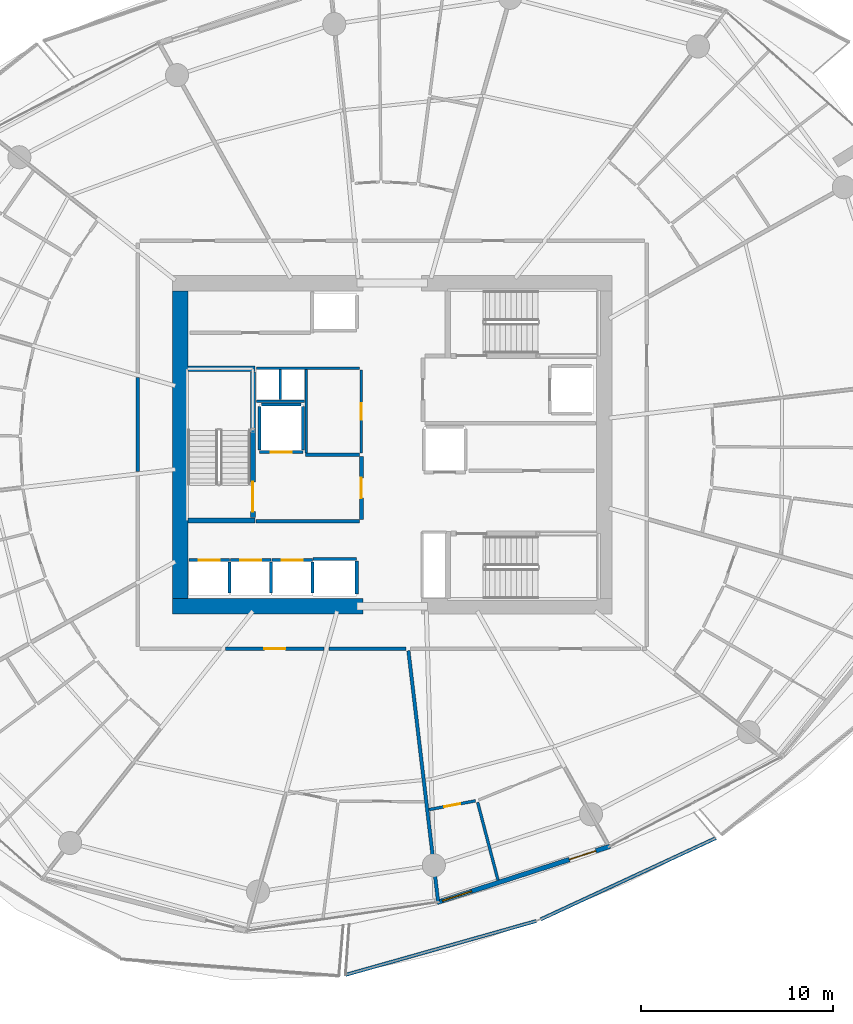
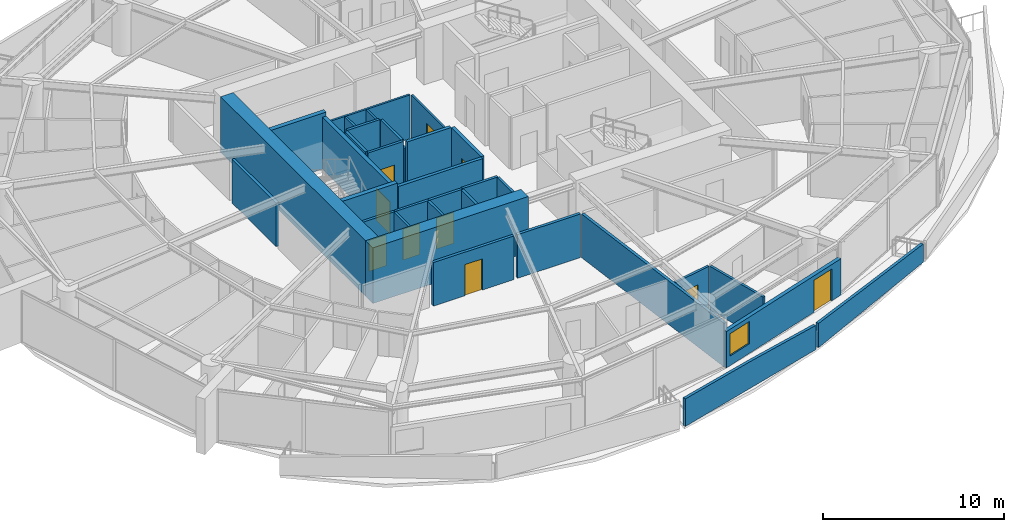
# One storey, part 12 of 23: 34 walls, 10 doors, 1 window, 11 openings.
"""IFC4 building model written with IfcOpenShell, lengths in metres."""

from ifc_helpers import new_model, si_unit, direction, frame, frame_2d, origin, place, context, subcontext, project, spatial, polyline, rectangle, outline, extrude, material, layer, layer_set, type_object, element, fill, save


model = new_model("IFC4")

# Units and contexts
model_context = context("Model", 3, precision=1e-05, world=origin(), true_north=direction((0.0, 1.0)))
body_context = subcontext(model_context, "Body", "Model", "MODEL_VIEW")
ifc_project = project(units=[si_unit("LENGTHUNIT", "METRE"), si_unit("AREAUNIT", "SQUARE_METRE"), si_unit("VOLUMEUNIT", "CUBIC_METRE"), si_unit("PLANEANGLEUNIT", "RADIAN"), si_unit("MASSUNIT", "GRAM", prefix="KILO")], contexts=[model_context])

# Site, building, storey
site_placement = place(None, origin())
site = spatial("IfcSite", under=ifc_project, at=site_placement, CompositionType="ELEMENT")
building_placement = place(site_placement, origin())
building = spatial("IfcBuilding", under=site, at=building_placement, Name="Kazma Halo Residences", CompositionType="ELEMENT")
storey_placement = place(building_placement, frame((0.0, 0.0, 78.89990234375)))
storey = spatial("IfcBuildingStorey", under=building, at=storey_placement, Name="L19", CompositionType="ELEMENT", Elevation=78.89990234375)

# Walls
ifc_material_1 = material(Name="White Concrete C50/60 Balustrade", Category="concrete")
ifc_layer_1 = layer(ifc_material_1, 0.179931640625)
ifc_layer_set_1 = layer_set([ifc_layer_1], Name="White Concrete C50/60 Balustrade")
wall_type_1 = type_object("IfcWallType", Name="WL-BAL-WAVE-180", PredefinedType="PARAPET", material=ifc_layer_set_1)
wall_1_placement = place(storey_placement, frame((46.0, 14.43603515625, 0.0), z_axis=(0.0, 0.0, 1.0), x_axis=(0.962322473133, 0.271910753195, 0.0)))
element("IfcWall", 1, at=wall_1_placement, inside=storey, type_object=wall_type_1, Name="L19 white wave balustrade wall SSE.1", PredefinedType="PARAPET", context=body_context, shape_type="SweptSolid", body=[
    extrude(outline(polyline([(0.0, 0.0), (10.3076171875, 0.0), (10.3076171875, 1.632080078125), (5.15380859375, 1.798095703125), (0.0, 1.860107421875), (0.0, 0.0)])), frame((0.0, 0.08984375, 0.0), z_axis=(0.0, -1.0, 0.0), x_axis=(1.0, 0.0, 0.0)), (0.0, 0.0, 1.0), 0.179931640625),
])
wall_2_placement = place(storey_placement, frame((56.1435546875, 17.32177734375, 0.0), z_axis=(0.0, 0.0, 1.0), x_axis=(0.907065674135, 0.420989148086, 0.0)))
element("IfcWall", 2, at=wall_2_placement, inside=storey, type_object=wall_type_1, Name="L19 white wave balustrade wall SSE.2", PredefinedType="PARAPET", context=body_context, shape_type="SweptSolid", body=[
    extrude(outline(polyline([(0.0, 0.0), (10.041259765625, 0.0), (10.04150390625, 1.233154296875), (5.020751953125, 1.418212890625), (0.0, 1.632080078125), (0.0, 0.0)])), frame((0.0, 0.08984375, 0.0), z_axis=(0.0, -1.0, 0.0), x_axis=(1.0, 0.0, 0.0)), (0.0, 0.0, 1.0), 0.179931640625),
])
ifc_material_2 = material(Name="Concrete C80/95", Category="concrete")
ifc_layer_2 = layer(ifc_material_2, 0.800048828125)
ifc_layer_set_2 = layer_set([ifc_layer_2], Name="Concrete C80/95")
wall_type_2 = type_object("IfcWallType", Name="WL-CORE-800", PredefinedType="SHEAR", material=ifc_layer_set_2)
wall_3_placement = place(storey_placement, frame((37.0, 33.60009765625, 0.0), z_axis=(0.0, 0.0, 1.0), x_axis=(1.0, 0.0, 0.0)))
element("IfcWall", 3, at=wall_3_placement, inside=storey, type_object=wall_type_2, Name="L19 central core shear wall SW", PredefinedType="SHEAR", context=body_context, shape_type="SweptSolid", body=[
    extrude(rectangle(XDim=9.89990234375, YDim=0.800048828125, at=frame_2d((4.949951171875, 0.0))), origin(), (0.0, 0.0, 1.0), 3.75),
])
wall_4_placement = place(storey_placement, frame((37.39990234375, 34.0, 0.0), z_axis=(0.0, 0.0, 1.0), x_axis=(0.0, 1.0, 0.0)))
element("IfcWall", 4, at=wall_4_placement, inside=storey, type_object=wall_type_2, Name="L19 central core shear wall W", PredefinedType="SHEAR", context=body_context, shape_type="SweptSolid", body=[
    extrude(rectangle(XDim=16.0, YDim=0.800048828125, at=frame_2d((8.0, 0.0))), origin(), (0.0, 0.0, 1.0), 3.75),
])
ifc_material_3 = material(Name="Concrete C60/75", Category="concrete")
ifc_layer_3 = layer(ifc_material_3, 0.280029296875)
ifc_layer_set_3 = layer_set([ifc_layer_3], Name="Concrete C60/75")
wall_type_3 = type_object("IfcWallType", Name="WL-CORE-ST-280", PredefinedType="SHEAR", material=ifc_layer_set_3)
for number, where, z_axis, x_axis, name in (
    (5, (37.800048828125, 38.06005859375, 0.0), (0.0, 0.0, 1.0), (1.0, 0.0, 0.0), "L19 stairwell bearing wall ST01-S"),
    (6, (37.800048828125, 45.93994140625, 0.0), (0.0, 0.0, 1.0), (1.0, 0.0, 0.0), "L19 stairwell bearing wall ST01-N"),
):
    element("IfcWall", number, at=place(storey_placement, frame(where, z_axis=z_axis, x_axis=x_axis)), inside=storey, type_object=wall_type_3, Name=name, PredefinedType="SHEAR", context=body_context, shape_type="SweptSolid", body=[
        extrude(rectangle(XDim=3.5, YDim=0.280029296875, at=frame_2d((1.75, 0.0))), origin(), (0.0, 0.0, 1.0), 3.75),
    ])
ifc_material_4 = material(Name="Acoustic Twin-Stud Gypsum")
ifc_layer_4 = layer(ifc_material_4, 0.179931640625)
ifc_layer_set_4 = layer_set([ifc_layer_4], Name="Acoustic Twin-Stud Gypsum")
wall_type_4 = type_object("IfcWallType", Name="WL-DEM-180", PredefinedType="PARTITIONING", material=ifc_layer_set_4)
wall_5_placement = place(storey_placement, frame((49.267578125, 31.290771484375, 0.0), z_axis=(0.0, 0.0, 1.0), x_axis=(0.117532311618, -0.993069058891, 0.0)))
element("IfcWall", 7, at=wall_5_placement, inside=storey, type_object=wall_type_4, Name="L19 apartment demising radial wall 11", PredefinedType="PARTITIONING", context=body_context, shape_type="SweptSolid", body=[
    extrude(rectangle(XDim=13.138427734375, YDim=0.179931640625, at=frame_2d((6.5693359375, 0.0))), origin(), (0.0, 0.0, 1.0), 2.940185546875),
])
wall_6_placement = place(storey_placement, frame((35.199951171875, 45.489990234375, 0.0), z_axis=(0.0, 0.0, 1.0), x_axis=(0.0, -1.0, 0.0)))
element("IfcWall", 8, at=wall_6_placement, inside=storey, type_object=wall_type_4, Name="L19 Apartment 1 inner wall 6", PredefinedType="PARTITIONING", context=body_context, shape_type="SweptSolid", body=[
    extrude(rectangle(XDim=4.885009765625, YDim=0.179931640625, at=frame_2d((2.4423828125, 0.0))), origin(), (0.0, 0.0, 1.0), 2.940185546875),
])

# Wall, opening, door
wall_7_placement = place(storey_placement, frame((39.763671875, 31.39990234375, 0.0), z_axis=(0.0, 0.0, 1.0), x_axis=(1.0, 0.0, 0.0)))
wall_7 = element("IfcWall", 9, at=wall_7_placement, inside=storey, type_object=wall_type_4, Name="L19 Apartment 2 entrance corridor wall", PredefinedType="PARTITIONING", context=body_context, shape_type="SweptSolid", body=[
    extrude(rectangle(XDim=5.126708984375, YDim=0.179931640625, at=frame_2d((2.5634765625, 0.0))), origin(), (0.0, 0.0, 1.0), 2.940185546875),
])
opening_1_placement = place(wall_7_placement, frame((2.013427734375, 0.0, 0.0)))
opening_1 = element("IfcOpeningElement", 10, at=opening_1_placement, cuts=wall_7, Name="Opening DA-1100", PredefinedType="OPENING", context=body_context, shape_type="SweptSolid", body=[
    extrude(rectangle(XDim=1.10009765625, YDim=2.10009765625, at=frame_2d((0.550048828125, 1.050048828125))), frame((0.0, 0.099853515625, 0.0), z_axis=(0.0, -1.0, 0.0), x_axis=(1.0, 0.0, 0.0)), (0.0, 0.0, 1.0), 0.199951171875),
])
ifc_material_5 = material(Name="Acoustic Walnut Fire Leaf")
door_type_1 = type_object("IfcDoorType", Name="DR-FD60-1100", OperationType="NOTDEFINED", PredefinedType="DOOR", material=ifc_material_5)
door_1_placement = place(opening_1_placement, origin())
door_1 = element("IfcDoor", 11, at=door_1_placement, inside=storey, type_object=door_type_1, Name="L19 Apartment 2 entrance fire door", OperationType="SINGLE_SWING_RIGHT", OverallHeight=2.10009765625, OverallWidth=1.10009765625, PredefinedType="DOOR", context=body_context, shape_type="SweptSolid", body=[
    extrude(rectangle(XDim=1.10009765625, YDim=2.10009765625, at=frame_2d((0.550048828125, 1.050048828125))), frame((0.0, 0.02490234375, 0.0), z_axis=(0.0, -1.0, 0.0), x_axis=(1.0, 0.0, 0.0)), (0.0, 0.0, 1.0), 0.050048828125),
])
fill(opening_1, door_1)

# Wall
wall_8_placement = place(storey_placement, frame((45.130615234375, 31.39990234375, 0.0), z_axis=(0.0, 0.0, 1.0), x_axis=(1.0, 0.0, 0.0)))
element("IfcWall", 12, at=wall_8_placement, inside=storey, type_object=wall_type_4, Name="L19 Apartment 2 inner wall 10", PredefinedType="PARTITIONING", context=body_context, shape_type="SweptSolid", body=[
    extrude(rectangle(XDim=4.00390625, YDim=0.179931640625, at=frame_2d((2.001953125, 0.0))), origin(), (0.0, 0.0, 1.0), 2.940185546875),
])

# Wall, openings, door, window
ifc_material_6 = material(Name="Insulated Pale-Metal Composite Wall")
ifc_layer_5 = layer(ifc_material_6, 0.239990234375)
ifc_layer_set_5 = layer_set([ifc_layer_5], Name="Insulated Pale-Metal Composite Wall")
wall_type_5 = type_object("IfcWallType", Name="WL-EXT-HOST-240", PredefinedType="SOLIDWALL", material=ifc_layer_set_5)
wall_9_placement = place(storey_placement, frame((50.76708984375, 18.202880859375, 0.0), z_axis=(0.0, 0.0, 1.0), x_axis=(0.951052494852, 0.30902937083, 0.0)))
wall_9 = element("IfcWall", 13, at=wall_9_placement, inside=storey, type_object=wall_type_5, Name="L19 exterior terrace-access wall B12", PredefinedType="SOLIDWALL", context=body_context, shape_type="SweptSolid", body=[
    extrude(rectangle(XDim=9.44384765625, YDim=0.239990234375, at=frame_2d((4.721923828125, 0.0))), origin(), (0.0, 0.0, 1.0), 2.4501953125),
])
opening_2_placement = place(wall_9_placement, frame((7.223876953125, 0.0, 0.0)))
opening_2 = element("IfcOpeningElement", 14, at=opening_2_placement, cuts=wall_9, Name="Opening DTR-1600", PredefinedType="OPENING", context=body_context, shape_type="SweptSolid", body=[
    extrude(rectangle(XDim=1.449951171875, YDim=2.14990234375, at=frame_2d((0.72509765625, 1.074951171875))), frame((0.0, 0.1298828125, 0.0), z_axis=(0.0, -1.0, 0.0), x_axis=(1.0, 0.0, 0.0)), (0.0, 0.0, 1.0), 0.260009765625),
])
opening_3_placement = place(wall_9_placement, frame((0.280029296875, 0.0, 0.64990234375)))
opening_3 = element("IfcOpeningElement", 15, at=opening_3_placement, cuts=wall_9, Name="Opening W-1800", PredefinedType="OPENING", context=body_context, shape_type="SweptSolid", body=[
    extrude(rectangle(XDim=1.60009765625, YDim=1.5, at=frame_2d((0.800048828125, 0.75))), frame((0.0, 0.1298828125, 0.0), z_axis=(0.0, -1.0, 0.0), x_axis=(1.0, 0.0, 0.0)), (0.0, 0.0, 1.0), 0.260009765625),
])
ifc_material_7 = material(Name="Aluminium AW-6063 T6 Double-Glazed Terrace Door", Category="aluminium")
door_type_2 = type_object("IfcDoorType", Name="DR-EXT-TERR-1600", OperationType="NOTDEFINED", PredefinedType="DOOR", material=ifc_material_7)
door_2_placement = place(opening_2_placement, origin())
door_2 = element("IfcDoor", 16, at=door_2_placement, inside=storey, type_object=door_type_2, Name="L19 B12 balcony terrace door", OperationType="DOUBLE_DOOR_SLIDING", OverallHeight=2.14990234375, OverallWidth=1.449951171875, PredefinedType="DOOR", context=body_context, shape_type="SweptSolid", body=[
    extrude(rectangle(XDim=1.449951171875, YDim=2.14990234375, at=frame_2d((0.72509765625, 1.074951171875))), frame((0.0, 0.02490234375, 0.0), z_axis=(0.0, -1.0, 0.0), x_axis=(1.0, 0.0, 0.0)), (0.0, 0.0, 1.0), 0.050048828125),
])
fill(opening_2, door_2)
ifc_material_8 = material(Name="Clear Triple-Silver Low-E Glass in Aluminium AW-6063 T6 Frame", Category="aluminium")
window_type = type_object("IfcWindowType", Name="WIN-RES-1800", PartitioningType="DOUBLE_PANEL_VERTICAL", PredefinedType="WINDOW", material=ifc_material_8)
window_placement = place(opening_3_placement, origin())
window = element("IfcWindow", 17, at=window_placement, inside=storey, type_object=window_type, Name="L19 B12 apartment window", OverallHeight=1.5, OverallWidth=1.60009765625, PartitioningType="SINGLE_PANEL", PredefinedType="WINDOW", context=body_context, shape_type="SweptSolid", body=[
    extrude(rectangle(XDim=1.60009765625, YDim=1.5, at=frame_2d((0.800048828125, 0.75))), frame((0.0, 0.030029296875, 0.0), z_axis=(0.0, -1.0, 0.0), x_axis=(1.0, 0.0, 0.0)), (0.0, 0.0, 1.0), 0.06005859375),
])
fill(opening_3, window)

# Wall, opening, door
ifc_material_9 = material(Name="Fire-Rated Blockwork Masonry", Category="masonry")
ifc_layer_6 = layer(ifc_material_9, 0.199951171875)
ifc_layer_set_6 = layer_set([ifc_layer_6], Name="Fire-Rated Blockwork Masonry")
wall_type_6 = type_object("IfcWallType", Name="WL-FLB-200", PredefinedType="PARTITIONING", material=ifc_layer_set_6)
wall_10_placement = place(storey_placement, frame((37.864990234375, 36.0048828125, 0.0), z_axis=(0.0, 0.0, 1.0), x_axis=(1.0, 0.0, 0.0)))
wall_10 = element("IfcWall", 18, at=wall_10_placement, inside=storey, type_object=wall_type_6, Name="L19 lift shaft PL-01 front wall", PredefinedType="PARTITIONING", context=body_context, shape_type="SweptSolid", body=[
    extrude(rectangle(XDim=2.110107421875, YDim=0.159912109375, at=frame_2d((1.05517578125, 0.0))), origin(), (0.0, 0.0, 1.0), 3.5),
])
opening_4_placement = place(wall_10_placement, frame((0.5048828125, 0.0, 0.0)))
opening_4 = element("IfcOpeningElement", 19, at=opening_4_placement, cuts=wall_10, Name="Opening LD-PL-01", PredefinedType="OPENING", context=body_context, shape_type="SweptSolid", body=[
    extrude(rectangle(XDim=1.10009765625, YDim=2.10009765625, at=frame_2d((0.550048828125, 1.050048828125))), frame((0.0, 0.08984375, 0.0), z_axis=(0.0, -1.0, 0.0), x_axis=(1.0, 0.0, 0.0)), (0.0, 0.0, 1.0), 0.179931640625),
])
ifc_material_10 = material(Name="Stainless Steel Fire-Rated", Category="steel")
door_type_3 = type_object("IfcDoorType", Name="DR-LIFT-SLD-1100", OperationType="DOUBLE_DOOR_SLIDING", PredefinedType="DOOR", material=ifc_material_10)
door_3_placement = place(opening_4_placement, origin())
door_3 = element("IfcDoor", 20, at=door_3_placement, inside=storey, type_object=door_type_3, Name="L19 lift PL-01 sliding landing door", OperationType="DOUBLE_DOOR_SLIDING", OverallHeight=2.10009765625, OverallWidth=1.10009765625, PredefinedType="DOOR", context=body_context, shape_type="SweptSolid", body=[
    extrude(rectangle(XDim=1.10009765625, YDim=2.10009765625, at=frame_2d((0.550048828125, 1.050048828125))), frame((0.0, 0.02490234375, 0.0), z_axis=(0.0, -1.0, 0.0), x_axis=(1.0, 0.0, 0.0)), (0.0, 0.0, 1.0), 0.050048828125),
])
fill(opening_4, door_3)

# Wall
wall_11_placement = place(storey_placement, frame((39.97509765625, 34.294921875, 0.0), z_axis=(0.0, 0.0, 1.0), x_axis=(0.0, 1.0, 0.0)))
element("IfcWall", 21, at=wall_11_placement, inside=storey, type_object=wall_type_6, Name="L19 lift shaft PL-01 side wall E", PredefinedType="PARTITIONING", context=body_context, shape_type="SweptSolid", body=[
    extrude(rectangle(XDim=1.610107421875, YDim=0.159912109375, at=frame_2d((0.80517578125, 0.0))), origin(), (0.0, 0.0, 1.0), 3.5),
])

# Wall, opening, door
wall_12_placement = place(storey_placement, frame((40.014892578125, 36.0048828125, 0.0), z_axis=(0.0, 0.0, 1.0), x_axis=(1.0, 0.0, 0.0)))
wall_12 = element("IfcWall", 22, at=wall_12_placement, inside=storey, type_object=wall_type_6, Name="L19 lift shaft PL-02 front wall", PredefinedType="PARTITIONING", context=body_context, shape_type="SweptSolid", body=[
    extrude(rectangle(XDim=2.110107421875, YDim=0.159912109375, at=frame_2d((1.05517578125, 0.0))), origin(), (0.0, 0.0, 1.0), 3.5),
])
opening_5_placement = place(wall_12_placement, frame((0.5048828125, 0.0, 0.0)))
opening_5 = element("IfcOpeningElement", 23, at=opening_5_placement, cuts=wall_12, Name="Opening LD-PL-02", PredefinedType="OPENING", context=body_context, shape_type="SweptSolid", body=[
    extrude(rectangle(XDim=1.10009765625, YDim=2.10009765625, at=frame_2d((0.550048828125, 1.050048828125))), frame((0.0, 0.08984375, 0.0), z_axis=(0.0, -1.0, 0.0), x_axis=(1.0, 0.0, 0.0)), (0.0, 0.0, 1.0), 0.179931640625),
])
door_4_placement = place(opening_5_placement, origin())
door_4 = element("IfcDoor", 24, at=door_4_placement, inside=storey, type_object=door_type_3, Name="L19 lift PL-02 sliding landing door", OperationType="DOUBLE_DOOR_SLIDING", OverallHeight=2.10009765625, OverallWidth=1.10009765625, PredefinedType="DOOR", context=body_context, shape_type="SweptSolid", body=[
    extrude(rectangle(XDim=1.10009765625, YDim=2.10009765625, at=frame_2d((0.550048828125, 1.050048828125))), frame((0.0, 0.02490234375, 0.0), z_axis=(0.0, -1.0, 0.0), x_axis=(1.0, 0.0, 0.0)), (0.0, 0.0, 1.0), 0.050048828125),
])
fill(opening_5, door_4)

# Wall
wall_13_placement = place(storey_placement, frame((42.125, 34.294921875, 0.0), z_axis=(0.0, 0.0, 1.0), x_axis=(0.0, 1.0, 0.0)))
element("IfcWall", 25, at=wall_13_placement, inside=storey, type_object=wall_type_6, Name="L19 lift shaft PL-02 side wall E", PredefinedType="PARTITIONING", context=body_context, shape_type="SweptSolid", body=[
    extrude(rectangle(XDim=1.610107421875, YDim=0.159912109375, at=frame_2d((0.80517578125, 0.0))), origin(), (0.0, 0.0, 1.0), 3.5),
])

# Wall, opening, door
wall_14_placement = place(storey_placement, frame((42.1650390625, 36.0048828125, 0.0), z_axis=(0.0, 0.0, 1.0), x_axis=(1.0, 0.0, 0.0)))
wall_14 = element("IfcWall", 26, at=wall_14_placement, inside=storey, type_object=wall_type_6, Name="L19 lift shaft PL-03 front wall", PredefinedType="PARTITIONING", context=body_context, shape_type="SweptSolid", body=[
    extrude(rectangle(XDim=2.10986328125, YDim=0.159912109375, at=frame_2d((1.054931640625, 0.0))), origin(), (0.0, 0.0, 1.0), 3.5),
])
opening_6_placement = place(wall_14_placement, frame((0.5048828125, 0.0, 0.0)))
opening_6 = element("IfcOpeningElement", 27, at=opening_6_placement, cuts=wall_14, Name="Opening LD-PL-03", PredefinedType="OPENING", context=body_context, shape_type="SweptSolid", body=[
    extrude(rectangle(XDim=1.10009765625, YDim=2.10009765625, at=frame_2d((0.550048828125, 1.050048828125))), frame((0.0, 0.08984375, 0.0), z_axis=(0.0, -1.0, 0.0), x_axis=(1.0, 0.0, 0.0)), (0.0, 0.0, 1.0), 0.179931640625),
])
door_5_placement = place(opening_6_placement, origin())
door_5 = element("IfcDoor", 28, at=door_5_placement, inside=storey, type_object=door_type_3, Name="L19 lift PL-03 sliding landing door", OperationType="DOUBLE_DOOR_SLIDING", OverallHeight=2.10009765625, OverallWidth=1.10009765625, PredefinedType="DOOR", context=body_context, shape_type="SweptSolid", body=[
    extrude(rectangle(XDim=1.10009765625, YDim=2.10009765625, at=frame_2d((0.550048828125, 1.050048828125))), frame((0.0, 0.02490234375, 0.0), z_axis=(0.0, -1.0, 0.0), x_axis=(1.0, 0.0, 0.0)), (0.0, 0.0, 1.0), 0.050048828125),
])
fill(opening_6, door_5)

# Walls
wall_15_placement = place(storey_placement, frame((44.27490234375, 34.294921875, 0.0), z_axis=(0.0, 0.0, 1.0), x_axis=(0.0, 1.0, 0.0)))
element("IfcWall", 29, at=wall_15_placement, inside=storey, type_object=wall_type_6, Name="L19 lift shaft PL-03 side wall E", PredefinedType="PARTITIONING", context=body_context, shape_type="SweptSolid", body=[
    extrude(rectangle(XDim=1.610107421875, YDim=0.159912109375, at=frame_2d((0.80517578125, 0.0))), origin(), (0.0, 0.0, 1.0), 3.5),
])
wall_16_placement = place(storey_placement, frame((44.320068359375, 36.054931640625, 0.0), z_axis=(0.0, 0.0, 1.0), x_axis=(1.0, 0.0, 0.0)))
element("IfcWall", 30, at=wall_16_placement, inside=storey, type_object=wall_type_6, Name="L19 lift shaft PX-02 front wall", PredefinedType="PARTITIONING", context=body_context, shape_type="SweptSolid", body=[
    extrude(rectangle(XDim=2.260009765625, YDim=0.159912109375, at=frame_2d((1.1298828125, 0.0))), origin(), (0.0, 0.0, 1.0), 3.5),
])
wall_17_placement = place(storey_placement, frame((46.580078125, 34.2451171875, 0.0), z_axis=(0.0, 0.0, 1.0), x_axis=(0.0, 1.0, 0.0)))
element("IfcWall", 31, at=wall_17_placement, inside=storey, type_object=wall_type_6, Name="L19 lift shaft PX-02 side wall E", PredefinedType="PARTITIONING", context=body_context, shape_type="SweptSolid", body=[
    extrude(rectangle(XDim=1.7099609375, YDim=0.159912109375, at=frame_2d((0.85498046875, 0.0))), origin(), (0.0, 0.0, 1.0), 3.5),
])

# Wall, opening, door
wall_18_placement = place(storey_placement, frame((43.780029296875, 41.6201171875, 0.0), z_axis=(0.0, 0.0, 1.0), x_axis=(-1.0, 0.0, 0.0)))
wall_18 = element("IfcWall", 32, at=wall_18_placement, inside=storey, type_object=wall_type_6, Name="L19 lift shaft FL-01 front wall", PredefinedType="PARTITIONING", context=body_context, shape_type="SweptSolid", body=[
    extrude(rectangle(XDim=2.260009765625, YDim=0.159912109375, at=frame_2d((1.1298828125, 0.0))), origin(), (0.0, 0.0, 1.0), 3.5),
])
opening_7_placement = place(wall_18_placement, frame((0.580078125, 0.0, 0.0)))
opening_7 = element("IfcOpeningElement", 33, at=opening_7_placement, cuts=wall_18, Name="Opening LD-FL-01", PredefinedType="OPENING", context=body_context, shape_type="SweptSolid", body=[
    extrude(rectangle(XDim=1.10009765625, YDim=2.10009765625, at=frame_2d((0.550048828125, 1.050048828125))), frame((0.0, 0.08984375, 0.0), z_axis=(0.0, -1.0, 0.0), x_axis=(1.0, 0.0, 0.0)), (0.0, 0.0, 1.0), 0.179931640625),
])
door_6_placement = place(opening_7_placement, origin())
door_6 = element("IfcDoor", 34, at=door_6_placement, inside=storey, type_object=door_type_3, Name="L19 lift FL-01 sliding landing door", OperationType="DOUBLE_DOOR_SLIDING", OverallHeight=2.10009765625, OverallWidth=1.10009765625, PredefinedType="DOOR", context=body_context, shape_type="SweptSolid", body=[
    extrude(rectangle(XDim=1.10009765625, YDim=2.10009765625, at=frame_2d((0.550048828125, 1.050048828125))), frame((0.0, 0.02490234375, 0.0), z_axis=(0.0, -1.0, 0.0), x_axis=(1.0, 0.0, 0.0)), (0.0, 0.0, 1.0), 0.050048828125),
])
fill(opening_7, door_6)

# Walls
for number, where, z_axis, x_axis, name in (
    (35, (43.780029296875, 41.719970703125, 0.0), (0.0, 0.0, 1.0), (0.0, 1.0, 0.0), "L19 lift shaft FL-01 side wall E"),
    (36, (41.52001953125, 41.719970703125, 0.0), (0.0, 0.0, 1.0), (0.0, 1.0, 0.0), "L19 lift shaft FL-01 side wall W"),
):
    element("IfcWall", number, at=place(storey_placement, frame(where, z_axis=z_axis, x_axis=x_axis)), inside=storey, type_object=wall_type_6, Name=name, PredefinedType="PARTITIONING", context=body_context, shape_type="SweptSolid", body=[
        extrude(rectangle(XDim=2.260009765625, YDim=0.159912109375, at=frame_2d((1.1298828125, 0.0))), origin(), (0.0, 0.0, 1.0), 3.5),
    ])
wall_19_placement = place(storey_placement, frame((41.6201171875, 44.080078125, 0.0), z_axis=(0.0, 0.0, 1.0), x_axis=(1.0, 0.0, 0.0)))
element("IfcWall", 37, at=wall_19_placement, inside=storey, type_object=wall_type_6, Name="L19 lift shaft FL-01 side wall N", PredefinedType="PARTITIONING", context=body_context, shape_type="SweptSolid", body=[
    extrude(rectangle(XDim=2.059814453125, YDim=0.159912109375, at=frame_2d((1.02978515625, 0.0))), origin(), (0.0, 0.0, 1.0), 3.5),
])
wall_20_placement = place(storey_placement, frame((41.35009765625, 38.02001953125, 0.0), z_axis=(0.0, 0.0, 1.0), x_axis=(1.0, 0.0, 0.0)))
element("IfcWall", 38, at=wall_20_placement, inside=storey, type_object=wall_type_6, Name="L19 west firefighting lobby south smoke wall", PredefinedType="PARTITIONING", context=body_context, shape_type="SweptSolid", body=[
    extrude(rectangle(XDim=5.369873046875, YDim=0.199951171875, at=frame_2d((2.68505859375, 0.0))), origin(), (0.0, 0.0, 1.0), 3.5),
])
wall_21_placement = place(storey_placement, frame((43.919921875, 41.47998046875, 0.0), z_axis=(0.0, 0.0, 1.0), x_axis=(1.0, 0.0, 0.0)))
element("IfcWall", 39, at=wall_21_placement, inside=storey, type_object=wall_type_6, Name="L19 west firefighting lobby north smoke wall", PredefinedType="PARTITIONING", context=body_context, shape_type="SweptSolid", body=[
    extrude(rectangle(XDim=2.800048828125, YDim=0.199951171875, at=frame_2d((1.39990234375, 0.0))), origin(), (0.0, 0.0, 1.0), 3.5),
])

# Wall, opening, door
wall_22_placement = place(storey_placement, frame((46.820068359375, 38.1201171875, 0.0), z_axis=(0.0, 0.0, 1.0), x_axis=(0.0, 1.0, 0.0)))
wall_22 = element("IfcWall", 40, at=wall_22_placement, inside=storey, type_object=wall_type_6, Name="L19 west firefighting lobby smoke wall", PredefinedType="PARTITIONING", context=body_context, shape_type="SweptSolid", body=[
    extrude(rectangle(XDim=3.259765625, YDim=0.199951171875, at=frame_2d((1.6298828125, 0.0))), origin(), (0.0, 0.0, 1.0), 3.5),
])
opening_8_placement = place(wall_22_placement, frame((1.10498046875, 0.0, 0.0)))
opening_8 = element("IfcOpeningElement", 41, at=opening_8_placement, cuts=wall_22, Name="Opening D-FLW", PredefinedType="OPENING", context=body_context, shape_type="SweptSolid", body=[
    extrude(rectangle(XDim=1.050048828125, YDim=2.10009765625, at=frame_2d((0.52490234375, 1.050048828125))), frame((0.0, 0.10986328125, 0.0), z_axis=(0.0, -1.0, 0.0), x_axis=(1.0, 0.0, 0.0)), (0.0, 0.0, 1.0), 0.219970703125),
])
ifc_material_11 = material(Name="Fire-Rated Steel Leaf", Category="steel")
door_type_4 = type_object("IfcDoorType", Name="DR-FD90-1050", OperationType="NOTDEFINED", PredefinedType="DOOR", material=ifc_material_11)
door_7_placement = place(opening_8_placement, origin())
door_7 = element("IfcDoor", 42, at=door_7_placement, inside=storey, type_object=door_type_4, Name="L19 west firefighting lobby smoke door", OperationType="SINGLE_SWING_RIGHT", OverallHeight=2.10009765625, OverallWidth=1.050048828125, PredefinedType="DOOR", context=body_context, shape_type="SweptSolid", body=[
    extrude(rectangle(XDim=1.050048828125, YDim=2.10009765625, at=frame_2d((0.52490234375, 1.050048828125))), frame((0.0, 0.02490234375, 0.0), z_axis=(0.0, -1.0, 0.0), x_axis=(1.0, 0.0, 0.0)), (0.0, 0.0, 1.0), 0.050048828125),
])
fill(opening_8, door_7)

# Walls
ifc_material_12 = material(Name="Gypsum Plasterboard Partition")
ifc_layer_7 = layer(ifc_material_12, 0.125)
ifc_layer_set_7 = layer_set([ifc_layer_7], Name="Gypsum Plasterboard Partition")
wall_type_7 = type_object("IfcWallType", Name="WL-PART-125", PredefinedType="PARTITIONING", material=ifc_layer_set_7)
wall_23_placement = place(storey_placement, frame((41.360107421875, 45.97998046875, 0.0), z_axis=(0.0, 0.0, 1.0), x_axis=(1.0, 0.0, 0.0)))
element("IfcWall", 43, at=wall_23_placement, inside=storey, type_object=wall_type_7, Name="L19 core north riser wall", PredefinedType="PARTITIONING", context=body_context, shape_type="SweptSolid", body=[
    extrude(rectangle(XDim=5.35986328125, YDim=0.125, at=frame_2d((2.679931640625, 0.0))), origin(), (0.0, 0.0, 1.0), 2.940185546875),
])
wall_24_placement = place(storey_placement, frame((41.360107421875, 44.260009765625, 0.0), z_axis=(0.0, 0.0, 1.0), x_axis=(1.0, 0.0, 0.0)))
element("IfcWall", 44, at=wall_24_placement, inside=storey, type_object=wall_type_7, Name="L19 core riser south wall", PredefinedType="PARTITIONING", context=body_context, shape_type="SweptSolid", body=[
    extrude(rectangle(XDim=2.5, YDim=0.125, at=frame_2d((1.25, 0.0))), origin(), (0.0, 0.0, 1.0), 2.940185546875),
])
wall_25_placement = place(storey_placement, frame((42.60009765625, 44.35009765625, 0.0), z_axis=(0.0, 0.0, 1.0), x_axis=(0.0, 1.0, 0.0)))
element("IfcWall", 45, at=wall_25_placement, inside=storey, type_object=wall_type_7, Name="L19 core riser divider wall", PredefinedType="PARTITIONING", context=body_context, shape_type="SweptSolid", body=[
    extrude(rectangle(XDim=1.5498046875, YDim=0.125, at=frame_2d((0.77490234375, 0.0))), origin(), (0.0, 0.0, 1.0), 2.940185546875),
])
wall_26_placement = place(storey_placement, frame((43.949951171875, 41.580078125, 0.0), z_axis=(0.0, 0.0, 1.0), x_axis=(0.0, 1.0, 0.0)))
element("IfcWall", 46, at=wall_26_placement, inside=storey, type_object=wall_type_7, Name="L19 core service west wall", PredefinedType="PARTITIONING", context=body_context, shape_type="SweptSolid", body=[
    extrude(rectangle(XDim=4.31982421875, YDim=0.125, at=frame_2d((2.159912109375, 0.0))), origin(), (0.0, 0.0, 1.0), 2.940185546875),
])

# Wall, opening, door
wall_27_placement = place(storey_placement, frame((46.820068359375, 41.580078125, 0.0), z_axis=(0.0, 0.0, 1.0), x_axis=(0.0, 1.0, 0.0)))
wall_27 = element("IfcWall", 47, at=wall_27_placement, inside=storey, type_object=wall_type_7, Name="L19 core service room east wall", PredefinedType="PARTITIONING", context=body_context, shape_type="SweptSolid", body=[
    extrude(rectangle(XDim=4.2998046875, YDim=0.125, at=frame_2d((2.14990234375, 0.0))), origin(), (0.0, 0.0, 1.0), 2.940185546875),
])
opening_9_placement = place(wall_27_placement, frame((1.72509765625, 0.0, 0.0)))
opening_9 = element("IfcOpeningElement", 48, at=opening_9_placement, cuts=wall_27, Name="Opening DS-850", PredefinedType="OPENING", context=body_context, shape_type="SweptSolid", body=[
    extrude(rectangle(XDim=0.85009765625, YDim=2.06005859375, at=frame_2d((0.425048828125, 1.030029296875))), frame((0.0, 0.072509765625, 0.0), z_axis=(0.0, -1.0, 0.0), x_axis=(1.0, 0.0, 0.0)), (0.0, 0.0, 1.0), 0.14501953125),
])
ifc_material_13 = material(Name="Painted Steel Access Leaf", Category="steel")
door_type_5 = type_object("IfcDoorType", Name="DR-SVC-850", OperationType="NOTDEFINED", PredefinedType="DOOR", material=ifc_material_13)
door_8_placement = place(opening_9_placement, origin())
door_8 = element("IfcDoor", 49, at=door_8_placement, inside=storey, type_object=door_type_5, Name="L19 core service room door", OperationType="SINGLE_SWING_RIGHT", OverallHeight=2.06005859375, OverallWidth=0.85009765625, PredefinedType="DOOR", context=body_context, shape_type="SweptSolid", body=[
    extrude(rectangle(XDim=0.85009765625, YDim=2.06005859375, at=frame_2d((0.425048828125, 1.030029296875))), frame((0.0, 0.02490234375, 0.0), z_axis=(0.0, -1.0, 0.0), x_axis=(1.0, 0.0, 0.0)), (0.0, 0.0, 1.0), 0.050048828125),
])
fill(opening_9, door_8)

ifc_material_14 = material(Name="Concrete C50/60", Category="concrete")
ifc_layer_8 = layer(ifc_material_14, 0.25)
ifc_layer_set_8 = layer_set([ifc_layer_8], Name="Concrete C50/60")
wall_type_8 = type_object("IfcWallType", Name="WL-SHF-250", PredefinedType="SOLIDWALL", material=ifc_layer_set_8)
wall_28_placement = place(storey_placement, frame((41.179931640625, 38.219970703125, 0.0), z_axis=(0.0, 0.0, 1.0), x_axis=(0.0, 1.0, 0.0)))
wall_28 = element("IfcWall", 50, at=wall_28_placement, inside=storey, type_object=wall_type_8, Name="L19 exit stair ST-01 enclosure wall", PredefinedType="SOLIDWALL", context=body_context, shape_type="SweptSolid", body=[
    extrude(rectangle(XDim=7.56005859375, YDim=0.25, at=frame_2d((3.780029296875, 0.0))), origin(), (0.0, 0.0, 1.0), 3.5),
])
opening_10_placement = place(wall_28_placement, frame((0.300048828125, 0.0, 0.0)))
opening_10 = element("IfcOpeningElement", 51, at=opening_10_placement, cuts=wall_28, Name="Opening D-ST1", PredefinedType="OPENING", context=body_context, shape_type="SweptSolid", body=[
    extrude(rectangle(XDim=1.550048828125, YDim=2.14990234375, at=frame_2d((0.77490234375, 1.074951171875))), frame((0.0, 0.135009765625, 0.0), z_axis=(0.0, -1.0, 0.0), x_axis=(1.0, 0.0, 0.0)), (0.0, 0.0, 1.0), 0.27001953125),
])
ifc_material_15 = material(Name="Fire-Rated Double Steel Leaf", Category="steel")
door_type_6 = type_object("IfcDoorType", Name="DR-FD90-1550", OperationType="NOTDEFINED", PredefinedType="DOOR", material=ifc_material_15)
door_9_placement = place(opening_10_placement, origin())
door_9 = element("IfcDoor", 52, at=door_9_placement, inside=storey, type_object=door_type_6, Name="L19 exit stair ST-01 fire door", OperationType="DOUBLE_DOOR_SINGLE_SWING", OverallHeight=2.14990234375, OverallWidth=1.550048828125, PredefinedType="DOOR", context=body_context, shape_type="SweptSolid", body=[
    extrude(rectangle(XDim=1.550048828125, YDim=2.14990234375, at=frame_2d((0.77490234375, 1.074951171875))), frame((0.0, 0.02490234375, 0.0), z_axis=(0.0, -1.0, 0.0), x_axis=(1.0, 0.0, 0.0)), (0.0, 0.0, 1.0), 0.050048828125),
])
fill(opening_10, door_9)

ifc_material_16 = material(Name="Moisture-Resistant Gypsum")
ifc_layer_9 = layer(ifc_material_16, 0.14990234375)
ifc_layer_set_9 = layer_set([ifc_layer_9], Name="Moisture-Resistant Gypsum")
wall_type_9 = type_object("IfcWallType", Name="WL-WET-150", PredefinedType="PARTITIONING", material=ifc_layer_set_9)
wall_29_placement = place(storey_placement, frame((50.345947265625, 23.029052734375, 0.0), z_axis=(0.0, 0.0, 1.0), x_axis=(0.982576637083, 0.185857881885, 0.0)))
wall_29 = element("IfcWall", 53, at=wall_29_placement, inside=storey, type_object=wall_type_9, Name="L19 Apartment 3 Guest Bathroom hall wall", PredefinedType="PARTITIONING", context=body_context, shape_type="SweptSolid", body=[
    extrude(rectangle(XDim=2.451171875, YDim=0.14990234375, at=frame_2d((1.2255859375, 0.0))), origin(), (0.0, 0.0, 1.0), 2.940185546875),
])
opening_11_placement = place(wall_29_placement, frame((0.800537109375, 0.0, 0.0)))
opening_11 = element("IfcOpeningElement", 54, at=opening_11_placement, cuts=wall_29, Name="Opening DB-900", PredefinedType="OPENING", context=body_context, shape_type="SweptSolid", body=[
    extrude(rectangle(XDim=0.85009765625, YDim=2.06005859375, at=frame_2d((0.425048828125, 1.030029296875))), frame((0.0, 0.0849609375, 0.0), z_axis=(0.0, -1.0, 0.0), x_axis=(1.0, 0.0, 0.0)), (0.0, 0.0, 1.0), 0.169921875),
])
ifc_material_17 = material(Name="Moisture-Sealed Timber Leaf", Category="wood")
door_type_7 = type_object("IfcDoorType", Name="DR-BTH-900", OperationType="NOTDEFINED", PredefinedType="DOOR", material=ifc_material_17)
door_10_placement = place(opening_11_placement, origin())
door_10 = element("IfcDoor", 55, at=door_10_placement, inside=storey, type_object=door_type_7, Name="L19 Apartment 3 Guest Bathroom door", OperationType="SINGLE_SWING_LEFT", OverallHeight=2.06005859375, OverallWidth=0.85009765625, PredefinedType="DOOR", context=body_context, shape_type="SweptSolid", body=[
    extrude(rectangle(XDim=0.85009765625, YDim=2.06005859375, at=frame_2d((0.425048828125, 1.030029296875))), frame((0.0, 0.02490234375, 0.0), z_axis=(0.0, -1.0, 0.0), x_axis=(1.0, 0.0, 0.0)), (0.0, 0.0, 1.0), 0.050048828125),
])
fill(opening_11, door_10)

# Wall
wall_30_placement = place(storey_placement, frame((52.865478515625, 23.414306640625, 0.0), z_axis=(0.0, 0.0, 1.0), x_axis=(0.253228265637, -0.96740655646, 0.0)))
element("IfcWall", 56, at=wall_30_placement, inside=storey, type_object=wall_type_9, Name="L19 Apartment 3 Guest Bathroom side wall", PredefinedType="PARTITIONING", context=body_context, shape_type="SweptSolid", body=[
    extrude(rectangle(XDim=4.18994140625, YDim=0.14990234375, at=frame_2d((2.094970703125, 0.0))), origin(), (0.0, 0.0, 1.0), 2.940185546875),
])

save(model, "model.ifc")
